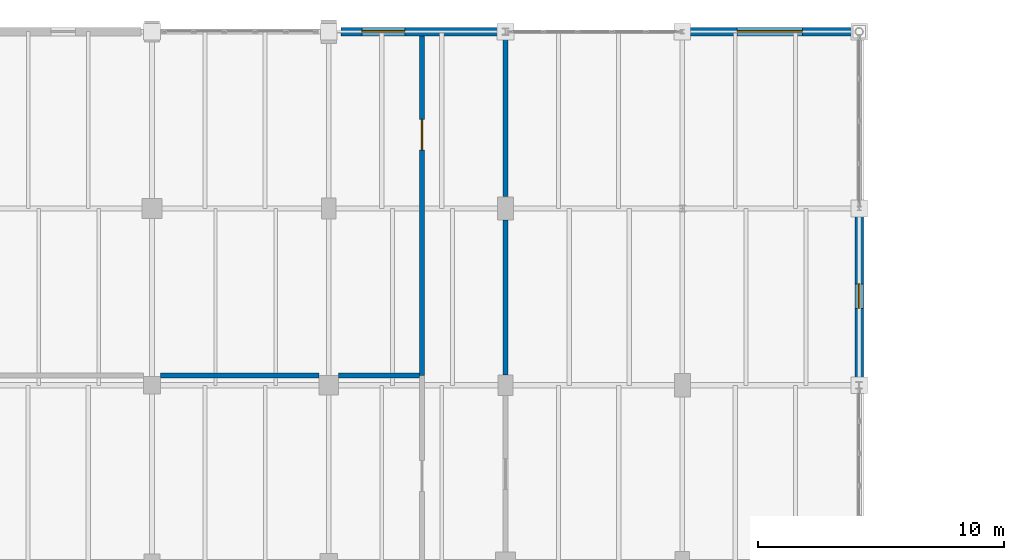
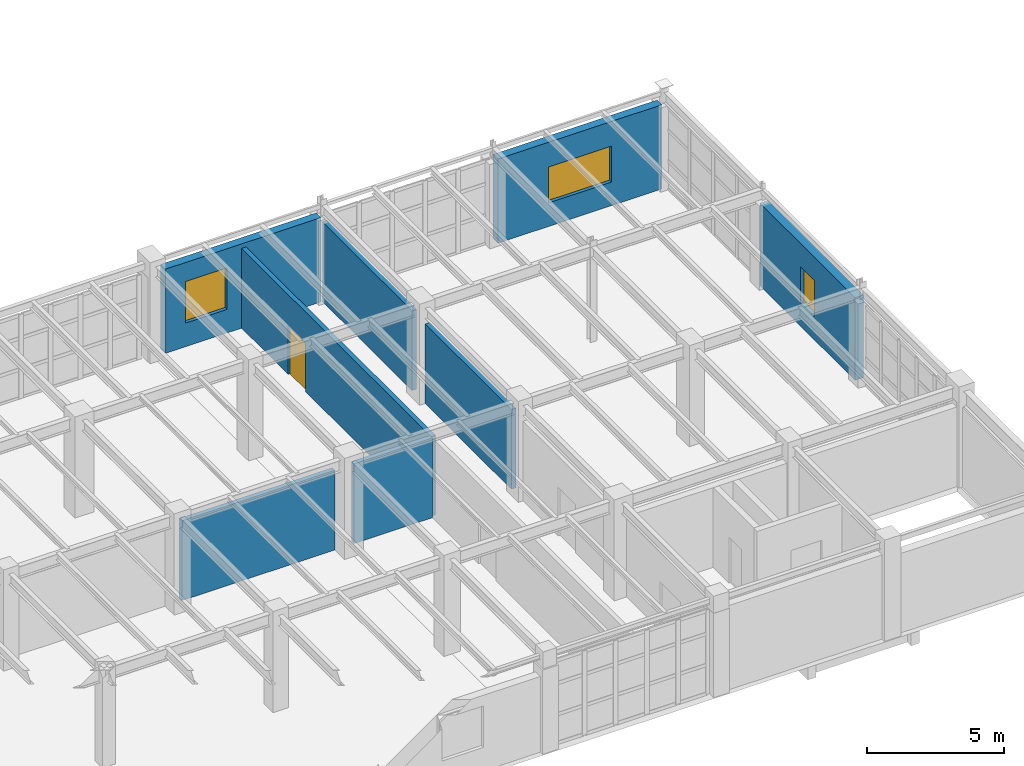
# One storey, part 132 of 137: 8 walls, 3 windows, 1 door, 4 openings.
"""IFC4 building model written with IfcOpenShell, lengths in metres."""

from ifc_helpers import new_model, si_unit, direction, frame, frame_2d, origin, place, context, subcontext, project, spatial, rectangle, extrude, material, layer, layer_set, type_object, element, fill, save


model = new_model("IFC4")

# Units and contexts
model_context = context("Model", 3, precision=1e-05, world=origin(), true_north=direction((0.0, 1.0)))
body_context = subcontext(model_context, "Body", "Model", "MODEL_VIEW")
ifc_project = project(units=[si_unit("LENGTHUNIT", "METRE"), si_unit("AREAUNIT", "SQUARE_METRE"), si_unit("VOLUMEUNIT", "CUBIC_METRE"), si_unit("PLANEANGLEUNIT", "RADIAN"), si_unit("MASSUNIT", "GRAM", prefix="KILO")], contexts=[model_context])

# Site, building, storey
site_placement = place(None, origin())
site = spatial("IfcSite", under=ifc_project, at=site_placement, CompositionType="ELEMENT")
building_placement = place(site_placement, origin())
building = spatial("IfcBuilding", under=site, at=building_placement, Name="Kemerveld Promenade Tramway Depot", CompositionType="ELEMENT")
storey_placement = place(building_placement, frame((0.0, 0.0, 5.39990234375)))
storey = spatial("IfcBuildingStorey", under=building, at=storey_placement, Name="L01", CompositionType="ELEMENT", Elevation=5.39990234375)

# Wall, opening, window
ifc_material_1 = material(Name="Banded granite and red-ochre clay brick masonry", Category="masonry")
ifc_layer_1 = layer(ifc_material_1, 0.35009765625)
ifc_layer_set_1 = layer_set([ifc_layer_1], Name="WL-EXT-350")
wall_type_1 = type_object("IfcWallType", Name="WL-EXT-350", PredefinedType="SOLIDWALL", material=ifc_layer_set_1)
wall_1_placement = place(storey_placement, frame((137.294921875, 79.199951171875, 0.0), z_axis=(0.0, 0.0, 1.0), x_axis=(1.0, 0.0, 0.0)))
wall_1 = element("IfcWall", 1, at=wall_1_placement, inside=storey, type_object=wall_type_1, Name="WL-L01-V3N-04", PredefinedType="SOLIDWALL", context=body_context, shape_type="SweptSolid", body=[
    extrude(rectangle(XDim=6.546875, YDim=0.35009765625, at=frame_2d((3.2734375, 0.0))), origin(), (0.0, 0.0, 1.0), 3.75),
])
opening_1_placement = place(wall_1_placement, frame((0.85302734375, 0.0, 1.050048828125)))
opening_1 = element("IfcOpeningElement", 2, at=opening_1_placement, cuts=wall_1, Name="Opening W-173", PredefinedType="OPENING", context=body_context, shape_type="SweptSolid", body=[
    extrude(rectangle(XDim=1.75, YDim=1.85009765625, at=frame_2d((0.875, 0.925048828125))), frame((0.0, 0.18505859375, 0.0), z_axis=(0.0, -1.0, 0.0), x_axis=(1.0, 0.0, 0.0)), (0.0, 0.0, 1.0), 0.3701171875),
])
ifc_material_2 = material(Name="Bronze anodised aluminium and low-e glass", Category="aluminium")
window_type_1 = type_object("IfcWindowType", Name="WN-30", PartitioningType="SINGLE_PANEL", PredefinedType="WINDOW", material=ifc_material_2)
window_1_placement = place(opening_1_placement, origin())
window_1 = element("IfcWindow", 3, at=window_1_placement, inside=storey, type_object=window_type_1, Name="WN-L01-V3N-04", OverallHeight=1.85009765625, OverallWidth=1.75, PartitioningType="SINGLE_PANEL", PredefinedType="WINDOW", context=body_context, shape_type="SweptSolid", body=[
    extrude(rectangle(XDim=1.75, YDim=1.85009765625, at=frame_2d((0.875, 0.925048828125))), frame((0.0, 0.030029296875, 0.0), z_axis=(0.0, -1.0, 0.0), x_axis=(1.0, 0.0, 0.0)), (0.0, 0.0, 1.0), 0.06005859375),
])
fill(opening_1, window_1)

wall_2_placement = place(storey_placement, frame((151.30078125, 79.199951171875, 0.0), z_axis=(0.0, 0.0, 1.0), x_axis=(1.0, 0.0, 0.0)))
wall_2 = element("IfcWall", 4, at=wall_2_placement, inside=storey, type_object=wall_type_1, Name="WL-L01-V3N-06", PredefinedType="SOLIDWALL", context=body_context, shape_type="SweptSolid", body=[
    extrude(rectangle(XDim=6.917236328125, YDim=0.35009765625, at=frame_2d((3.45849609375, 0.0))), origin(), (0.0, 0.0, 1.0), 3.75),
])
opening_2_placement = place(wall_2_placement, frame((2.134033203125, 0.0, 1.050048828125)))
opening_2 = element("IfcOpeningElement", 5, at=opening_2_placement, cuts=wall_2, Name="Opening W-174", PredefinedType="OPENING", context=body_context, shape_type="SweptSolid", body=[
    extrude(rectangle(XDim=2.64990234375, YDim=1.60009765625, at=frame_2d((1.324951171875, 0.800048828125))), frame((0.0, 0.18505859375, 0.0), z_axis=(0.0, -1.0, 0.0), x_axis=(1.0, 0.0, 0.0)), (0.0, 0.0, 1.0), 0.3701171875),
])
window_type_2 = type_object("IfcWindowType", Name="WN-40", PartitioningType="SINGLE_PANEL", PredefinedType="WINDOW", material=ifc_material_2)
window_2_placement = place(opening_2_placement, origin())
window_2 = element("IfcWindow", 6, at=window_2_placement, inside=storey, type_object=window_type_2, Name="WN-L01-V3N-06", OverallHeight=1.60009765625, OverallWidth=2.64990234375, PartitioningType="SINGLE_PANEL", PredefinedType="WINDOW", context=body_context, shape_type="SweptSolid", body=[
    extrude(rectangle(XDim=2.64990234375, YDim=1.60009765625, at=frame_2d((1.324951171875, 0.800048828125))), frame((0.0, 0.030029296875, 0.0), z_axis=(0.0, -1.0, 0.0), x_axis=(1.0, 0.0, 0.0)), (0.0, 0.0, 1.0), 0.06005859375),
])
fill(opening_2, window_2)

wall_3_placement = place(storey_placement, frame((158.39990234375, 71.899169921875, 0.0), z_axis=(0.0, 0.0, 1.0), x_axis=(0.0, -1.0, 0.0)))
wall_3 = element("IfcWall", 7, at=wall_3_placement, inside=storey, type_object=wall_type_1, Name="WL-L01-V3E-02", PredefinedType="SOLIDWALL", context=body_context, shape_type="SweptSolid", body=[
    extrude(rectangle(XDim=6.94091796875, YDim=0.35009765625, at=frame_2d((3.470458984375, 0.0))), origin(), (0.0, 0.0, 1.0), 3.68359375),
])
opening_3_placement = place(wall_3_placement, frame((2.969970703125, 0.0, 1.050048828125)))
opening_3 = element("IfcOpeningElement", 8, at=opening_3_placement, cuts=wall_3, Name="Opening W-175", PredefinedType="OPENING", context=body_context, shape_type="SweptSolid", body=[
    extrude(rectangle(XDim=1.0, YDim=1.60009765625, at=frame_2d((0.5, 0.800048828125))), frame((0.0, 0.18505859375, 0.0), z_axis=(0.0, -1.0, 0.0), x_axis=(1.0, 0.0, 0.0)), (0.0, 0.0, 1.0), 0.3701171875),
])
window_type_3 = type_object("IfcWindowType", Name="WN-20", PartitioningType="SINGLE_PANEL", PredefinedType="WINDOW", material=ifc_material_2)
window_3_placement = place(opening_3_placement, origin())
window_3 = element("IfcWindow", 9, at=window_3_placement, inside=storey, type_object=window_type_3, Name="WN-L01-V3E-02", OverallHeight=1.60009765625, OverallWidth=1.0, PartitioningType="SINGLE_PANEL", PredefinedType="WINDOW", context=body_context, shape_type="SweptSolid", body=[
    extrude(rectangle(XDim=1.0, YDim=1.60009765625, at=frame_2d((0.5, 0.800048828125))), frame((0.0, 0.030029296875, 0.0), z_axis=(0.0, -1.0, 0.0), x_axis=(1.0, 0.0, 0.0)), (0.0, 0.0, 1.0), 0.06005859375),
])
fill(opening_3, window_3)

# Wall, opening, door
ifc_material_3 = material(Name="Plant and substation fire partition")
ifc_layer_2 = layer(ifc_material_3, 0.18994140625)
ifc_layer_set_2 = layer_set([ifc_layer_2], Name="WL-PRT-190")
wall_type_2 = type_object("IfcWallType", Name="WL-PRT-190", PredefinedType="PARTITIONING", material=ifc_layer_set_2)
wall_4_placement = place(storey_placement, frame((140.60009765625, 65.199951171875, 0.0), z_axis=(0.0, 0.0, 1.0), x_axis=(0.0, 1.0, 0.0)))
wall_4 = element("IfcWall", 10, at=wall_4_placement, inside=storey, type_object=wall_type_2, Name="WL-PRT-RM-L01-V3-FILT", PredefinedType="PARTITIONING", context=body_context, shape_type="SweptSolid", body=[
    extrude(rectangle(XDim=13.824951171875, YDim=0.18994140625, at=frame_2d((6.91259765625, 0.0))), origin(), (0.0, 0.0, 1.0), 3.550048828125),
])
opening_4_placement = place(wall_4_placement, frame((9.177978515625, 0.0, 0.0)))
opening_4 = element("IfcOpeningElement", 11, at=opening_4_placement, cuts=wall_4, Name="Opening D-634", PredefinedType="OPENING", context=body_context, shape_type="SweptSolid", body=[
    extrude(rectangle(XDim=1.25, YDim=2.14990234375, at=frame_2d((0.625, 1.074951171875))), frame((0.0, 0.10498046875, 0.0), z_axis=(0.0, -1.0, 0.0), x_axis=(1.0, 0.0, 0.0)), (0.0, 0.0, 1.0), 0.2099609375),
])
ifc_material_4 = material(Name="Steel plant room fire door", Category="steel")
door_type = type_object("IfcDoorType", Name="DR-FD60C", OperationType="NOTDEFINED", PredefinedType="DOOR", material=ifc_material_4)
door_placement = place(opening_4_placement, origin())
door = element("IfcDoor", 12, at=door_placement, inside=storey, type_object=door_type, Name="DR-RM-RM-L01-V3-FILT", OperationType="SINGLE_SWING_RIGHT", OverallHeight=2.14990234375, OverallWidth=1.25, PredefinedType="DOOR", context=body_context, shape_type="SweptSolid", body=[
    extrude(rectangle(XDim=1.25, YDim=2.14990234375, at=frame_2d((0.625, 1.074951171875))), frame((0.0, 0.02490234375, 0.0), z_axis=(0.0, -1.0, 0.0), x_axis=(1.0, 0.0, 0.0)), (0.0, 0.0, 1.0), 0.050048828125),
])
fill(opening_4, door)

# Walls
wall_5_placement = place(storey_placement, frame((144.0, 65.22705078125, 0.0), z_axis=(0.0, 0.0, 1.0), x_axis=(0.0, 1.0, 0.0)))
element("IfcWall", 13, at=wall_5_placement, inside=storey, type_object=wall_type_2, Name="WL-PRT-RM-L01-V3-BATT-S2", PredefinedType="PARTITIONING", context=body_context, shape_type="SweptSolid", body=[
    extrude(rectangle(XDim=6.2958984375, YDim=0.18994140625, at=frame_2d((3.14794921875, 0.0))), origin(), (0.0, 0.0, 1.0), 3.550048828125),
])
wall_6_placement = place(storey_placement, frame((144.0, 72.47705078125, 0.0), z_axis=(0.0, 0.0, 1.0), x_axis=(0.0, 1.0, 0.0)))
element("IfcWall", 14, at=wall_6_placement, inside=storey, type_object=wall_type_2, Name="WL-PRT-RM-L01-V3-BATT-S3", PredefinedType="PARTITIONING", context=body_context, shape_type="SweptSolid", body=[
    extrude(rectangle(XDim=6.5478515625, YDim=0.18994140625, at=frame_2d((3.27392578125, 0.0))), origin(), (0.0, 0.0, 1.0), 3.550048828125),
])
wall_7_placement = place(storey_placement, frame((129.951904296875, 65.199951171875, 0.0), z_axis=(0.0, 0.0, 1.0), x_axis=(1.0, 0.0, 0.0)))
element("IfcWall", 15, at=wall_7_placement, inside=storey, type_object=wall_type_2, Name="WL-DIV-L01-020", PredefinedType="PARTITIONING", context=body_context, shape_type="SweptSolid", body=[
    extrude(rectangle(XDim=6.446044921875, YDim=0.18994140625, at=frame_2d((3.22314453125, 0.0))), origin(), (0.0, 0.0, 1.0), 3.550048828125),
])
wall_8_placement = place(storey_placement, frame((137.201904296875, 65.199951171875, 0.0), z_axis=(0.0, 0.0, 1.0), x_axis=(1.0, 0.0, 0.0)))
element("IfcWall", 16, at=wall_8_placement, inside=storey, type_object=wall_type_2, Name="WL-DIV-L01-021", PredefinedType="PARTITIONING", context=body_context, shape_type="SweptSolid", body=[
    extrude(rectangle(XDim=3.302978515625, YDim=0.18994140625, at=frame_2d((1.6513671875, 0.0))), origin(), (0.0, 0.0, 1.0), 3.550048828125),
])

save(model, "model.ifc")
